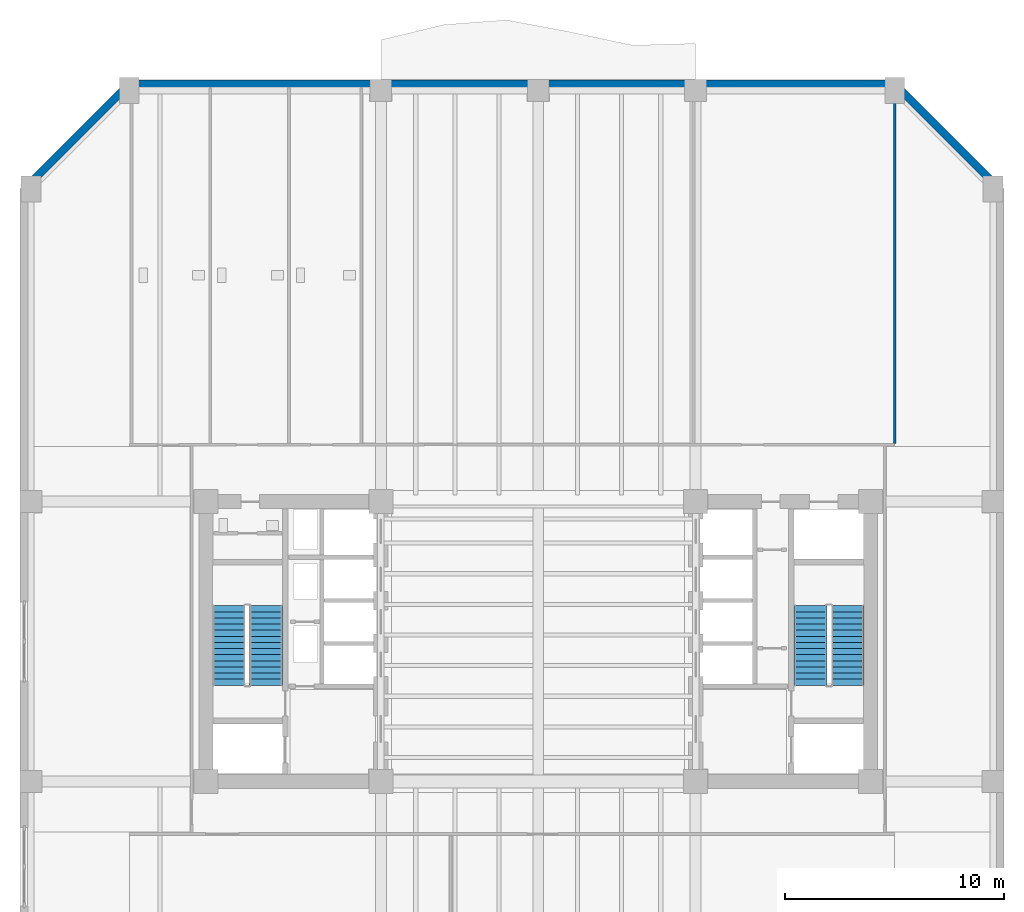
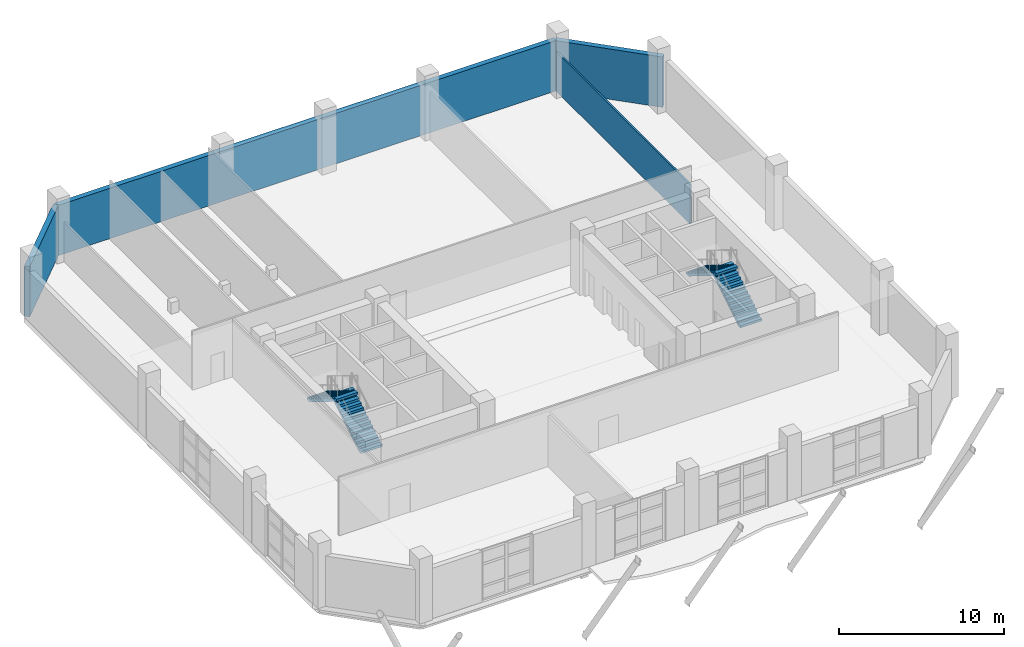
# One storey, part 11 of 16: 4 stair flights, 4 walls, 2 elements without a shape of their own.
"""IFC4 building model written with IfcOpenShell, lengths in metres."""

from ifc_helpers import new_model, si_unit, direction, frame, frame_2d, origin, place, context, subcontext, project, spatial, polyline, rectangle, outline, extrude, material, layer, layer_set, type_object, element, aggregate, save


model = new_model("IFC4")

# Units and contexts
model_context = context("Model", 3, precision=1e-05, world=origin(), true_north=direction((0.0, 1.0)))
body_context = subcontext(model_context, "Body", "Model", "MODEL_VIEW")
ifc_project = project(units=[si_unit("LENGTHUNIT", "METRE"), si_unit("AREAUNIT", "SQUARE_METRE"), si_unit("VOLUMEUNIT", "CUBIC_METRE"), si_unit("PLANEANGLEUNIT", "RADIAN"), si_unit("MASSUNIT", "GRAM", prefix="KILO")], contexts=[model_context])

# Site, building, storey
site_placement = place(None, origin())
site = spatial("IfcSite", under=ifc_project, at=site_placement, CompositionType="ELEMENT")
building_placement = place(site_placement, origin())
building = spatial("IfcBuilding", under=site, at=building_placement, Name="Kranthara Brick Stack", CompositionType="ELEMENT")
storey_placement = place(building_placement, frame((0.0, 0.0, 115.5)))
storey = spatial("IfcBuildingStorey", under=building, at=storey_placement, Name="L28", CompositionType="ELEMENT", Elevation=115.5)

# Walls
ifc_material_1 = material(Name="Kiln-fired clay brick masonry M15", Category="masonry")
ifc_layer_1 = layer(ifc_material_1, 0.35009765625)
ifc_layer_set_1 = layer_set([ifc_layer_1], Name="Kiln-fired clay brick masonry M15")
wall_type_1 = type_object("IfcWallType", Name="WL-BRK-SPND-350", PredefinedType="STANDARD", material=ifc_layer_set_1)
wall_1_placement = place(storey_placement, frame((4.4951171875, 47.89990234375, 0.0), z_axis=(0.0, 0.0, 1.0), x_axis=(0.707088817216, 0.7071247447, 0.0)))
element("IfcWall", 1, at=wall_1_placement, inside=storey, type_object=wall_type_1, Name="L28 Exterior Brick Facade Wall NW 1", PredefinedType="STANDARD", context=body_context, shape_type="SweptSolid", body=[
    extrude(rectangle(XDim=6.79541015625, YDim=0.35009765625, at=frame_2d((3.397705078125, 0.0))), origin(), (0.0, 0.0, 1.0), 3.735107421875),
])
wall_2_placement = place(storey_placement, frame((9.300048828125, 52.705078125, 0.0), z_axis=(0.0, 0.0, 1.0), x_axis=(1.0, 0.0, 0.0)))
element("IfcWall", 2, at=wall_2_placement, inside=storey, type_object=wall_type_1, Name="L28 Exterior Brick Facade Wall NORTH 1", PredefinedType="STANDARD", context=body_context, shape_type="SweptSolid", body=[
    extrude(rectangle(XDim=35.0, YDim=0.35009765625, at=frame_2d((17.5, 0.0))), origin(), (0.0, 0.0, 1.0), 3.735107421875),
])
wall_3_placement = place(storey_placement, frame((44.300048828125, 52.705078125, 0.0), z_axis=(0.0, 0.0, 1.0), x_axis=(0.707088817216, -0.7071247447, 0.0)))
element("IfcWall", 3, at=wall_3_placement, inside=storey, type_object=wall_type_1, Name="L28 Exterior Brick Facade Wall NE 1", PredefinedType="STANDARD", context=body_context, shape_type="SweptSolid", body=[
    extrude(rectangle(XDim=6.79541015625, YDim=0.35009765625, at=frame_2d((3.397705078125, 0.0))), origin(), (0.0, 0.0, 1.0), 3.735107421875),
])
ifc_material_2 = material(Name="Acoustic gypsum plasterboard partition", Category="other")
ifc_layer_2 = layer(ifc_material_2, 0.1201171875)
ifc_layer_set_2 = layer_set([ifc_layer_2], Name="Acoustic gypsum plasterboard partition")
wall_type_2 = type_object("IfcWallType", Name="WL-PART-120", PredefinedType="PARTITIONING", material=ifc_layer_set_2)
wall_4_placement = place(storey_placement, frame((44.300048828125, 36.264892578125, 0.0), z_axis=(0.0, 0.0, 1.0), x_axis=(0.0, 1.0, 0.0)))
element("IfcWall", 4, at=wall_4_placement, inside=storey, type_object=wall_type_2, Name="L28 Interior Partition 012", PredefinedType="PARTITIONING", context=body_context, shape_type="SweptSolid", body=[
    extrude(rectangle(XDim=16.260009765625, YDim=0.1201171875, at=frame_2d((8.1298828125, 0.0))), origin(), (0.0, 0.0, 1.0), 2.93505859375),
])

# Stair, stair flights
ifc_material_3 = material(Name="Concrete C45/55", Category="concrete")
stair_type = type_object("IfcStairType", Name="ST-CORE-28R", PredefinedType="HALF_TURN_STAIR", material=ifc_material_3)
stair_1_placement = place(storey_placement, origin())
stair_1 = element("IfcStair", 5, at=stair_1_placement, inside=storey, type_object=stair_type, Name="L28 West Core Protected Exit Stair ST01", PredefinedType="HALF_TURN_STAIR")
ifc_material_4 = material(Name="Concrete C45/55", Category="concrete")
stair_flight_type = type_object("IfcStairFlightType", Name="SFL-RC-28R", PredefinedType="STRAIGHT", material=ifc_material_4)
stair_flight_1_placement = place(storey_placement, frame((15.550048828125, 25.199951171875, 0.0), z_axis=(0.0, 0.0, 1.0), x_axis=(0.0, 1.0, 0.0)))
stair_flight_1 = element("IfcStairFlight", 6, at=stair_flight_1_placement, type_object=stair_flight_type, Name="ST01 flight 1", NumberOfRisers=14, NumberOfTreads=13, PredefinedType="STRAIGHT", RiserHeight=0.171428571, TreadLength=0.28, context=body_context, shape_type="SweptSolid", body=[
    extrude(outline(polyline([(0.0, 0.0), (0.0, 0.17138671875), (0.280029296875, 0.17138671875), (0.280029296875, 0.3427734375), (0.56005859375, 0.3427734375), (0.56005859375, 0.514404296875), (0.840087890625, 0.514404296875), (0.840087890625, 0.685791015625), (1.1201171875, 0.685791015625), (1.1201171875, 0.857177734375), (1.39990234375, 0.857177734375), (1.39990234375, 1.028564453125), (1.679931640625, 1.028564453125), (1.679931640625, 1.199951171875), (1.9599609375, 1.199951171875), (1.9599609375, 1.371337890625), (2.239990234375, 1.371337890625), (2.239990234375, 1.54296875), (2.52001953125, 1.54296875), (2.52001953125, 1.71435546875), (2.800048828125, 1.71435546875), (2.800048828125, 1.8857421875), (3.080078125, 1.8857421875), (3.080078125, 2.05712890625), (3.360107421875, 2.05712890625), (3.360107421875, 2.228515625), (3.639892578125, 2.228515625), (3.639892578125, 2.39990234375), (3.639892578125, 2.052734375), (0.287109375, 0.0), (0.0, 0.0)])), frame((0.0, 0.75, 0.0), z_axis=(0.0, -1.0, 0.0), x_axis=(1.0, 0.0, 0.0)), (0.0, 0.0, 1.0), 1.5),
])
stair_flight_2_placement = place(storey_placement, frame((13.85009765625, 28.840087890625, 2.39990234375), z_axis=(0.0, 0.0, 1.0), x_axis=(0.0, -1.0, 0.0)))
stair_flight_2 = element("IfcStairFlight", 7, at=stair_flight_2_placement, type_object=stair_flight_type, Name="ST01 flight 2", NumberOfRisers=14, NumberOfTreads=13, PredefinedType="STRAIGHT", RiserHeight=0.171428571, TreadLength=0.28, context=body_context, shape_type="SweptSolid", body=[
    extrude(outline(polyline([(0.0, 0.0), (0.0, 0.17138671875), (0.280029296875, 0.17138671875), (0.280029296875, 0.3427734375), (0.56005859375, 0.3427734375), (0.56005859375, 0.514404296875), (0.840087890625, 0.514404296875), (0.840087890625, 0.685791015625), (1.1201171875, 0.685791015625), (1.1201171875, 0.857177734375), (1.39990234375, 0.857177734375), (1.39990234375, 1.028564453125), (1.679931640625, 1.028564453125), (1.679931640625, 1.199951171875), (1.9599609375, 1.199951171875), (1.9599609375, 1.371337890625), (2.239990234375, 1.371337890625), (2.239990234375, 1.54296875), (2.52001953125, 1.54296875), (2.52001953125, 1.71435546875), (2.800048828125, 1.71435546875), (2.800048828125, 1.8857421875), (3.080078125, 1.8857421875), (3.080078125, 2.05712890625), (3.360107421875, 2.05712890625), (3.360107421875, 2.228515625), (3.639892578125, 2.228515625), (3.639892578125, 2.39990234375), (3.639892578125, 2.052734375), (0.287109375, 0.0), (0.0, 0.0)])), frame((0.0, 0.75, 0.0), z_axis=(0.0, -1.0, 0.0), x_axis=(1.0, 0.0, 0.0)), (0.0, 0.0, 1.0), 1.5),
])
aggregate(stair_1, [stair_flight_1, stair_flight_2])

stair_2_placement = place(storey_placement, origin())
stair_2 = element("IfcStair", 8, at=stair_2_placement, inside=storey, type_object=stair_type, Name="L28 East Core Protected Exit Stair ST02", PredefinedType="HALF_TURN_STAIR")
stair_flight_3_placement = place(storey_placement, frame((42.14990234375, 25.199951171875, 0.0), z_axis=(0.0, 0.0, 1.0), x_axis=(0.0, 1.0, 0.0)))
stair_flight_3 = element("IfcStairFlight", 9, at=stair_flight_3_placement, type_object=stair_flight_type, Name="ST02 flight 1", NumberOfRisers=14, NumberOfTreads=13, PredefinedType="STRAIGHT", RiserHeight=0.171428571, TreadLength=0.28, context=body_context, shape_type="SweptSolid", body=[
    extrude(outline(polyline([(0.0, 0.0), (0.0, 0.17138671875), (0.280029296875, 0.17138671875), (0.280029296875, 0.3427734375), (0.56005859375, 0.3427734375), (0.56005859375, 0.514404296875), (0.840087890625, 0.514404296875), (0.840087890625, 0.685791015625), (1.1201171875, 0.685791015625), (1.1201171875, 0.857177734375), (1.39990234375, 0.857177734375), (1.39990234375, 1.028564453125), (1.679931640625, 1.028564453125), (1.679931640625, 1.199951171875), (1.9599609375, 1.199951171875), (1.9599609375, 1.371337890625), (2.239990234375, 1.371337890625), (2.239990234375, 1.54296875), (2.52001953125, 1.54296875), (2.52001953125, 1.71435546875), (2.800048828125, 1.71435546875), (2.800048828125, 1.8857421875), (3.080078125, 1.8857421875), (3.080078125, 2.05712890625), (3.360107421875, 2.05712890625), (3.360107421875, 2.228515625), (3.639892578125, 2.228515625), (3.639892578125, 2.39990234375), (3.639892578125, 2.052734375), (0.287109375, 0.0), (0.0, 0.0)])), frame((0.0, 0.75, 0.0), z_axis=(0.0, -1.0, 0.0), x_axis=(1.0, 0.0, 0.0)), (0.0, 0.0, 1.0), 1.5),
])
stair_flight_4_placement = place(storey_placement, frame((40.449951171875, 28.840087890625, 2.39990234375), z_axis=(0.0, 0.0, 1.0), x_axis=(0.0, -1.0, 0.0)))
stair_flight_4 = element("IfcStairFlight", 10, at=stair_flight_4_placement, type_object=stair_flight_type, Name="ST02 flight 2", NumberOfRisers=14, NumberOfTreads=13, PredefinedType="STRAIGHT", RiserHeight=0.171428571, TreadLength=0.28, context=body_context, shape_type="SweptSolid", body=[
    extrude(outline(polyline([(0.0, 0.0), (0.0, 0.17138671875), (0.280029296875, 0.17138671875), (0.280029296875, 0.3427734375), (0.56005859375, 0.3427734375), (0.56005859375, 0.514404296875), (0.840087890625, 0.514404296875), (0.840087890625, 0.685791015625), (1.1201171875, 0.685791015625), (1.1201171875, 0.857177734375), (1.39990234375, 0.857177734375), (1.39990234375, 1.028564453125), (1.679931640625, 1.028564453125), (1.679931640625, 1.199951171875), (1.9599609375, 1.199951171875), (1.9599609375, 1.371337890625), (2.239990234375, 1.371337890625), (2.239990234375, 1.54296875), (2.52001953125, 1.54296875), (2.52001953125, 1.71435546875), (2.800048828125, 1.71435546875), (2.800048828125, 1.8857421875), (3.080078125, 1.8857421875), (3.080078125, 2.05712890625), (3.360107421875, 2.05712890625), (3.360107421875, 2.228515625), (3.639892578125, 2.228515625), (3.639892578125, 2.39990234375), (3.639892578125, 2.052734375), (0.287109375, 0.0), (0.0, 0.0)])), frame((0.0, 0.75, 0.0), z_axis=(0.0, -1.0, 0.0), x_axis=(1.0, 0.0, 0.0)), (0.0, 0.0, 1.0), 1.5),
])
aggregate(stair_2, [stair_flight_3, stair_flight_4])

save(model, "model.ifc")
